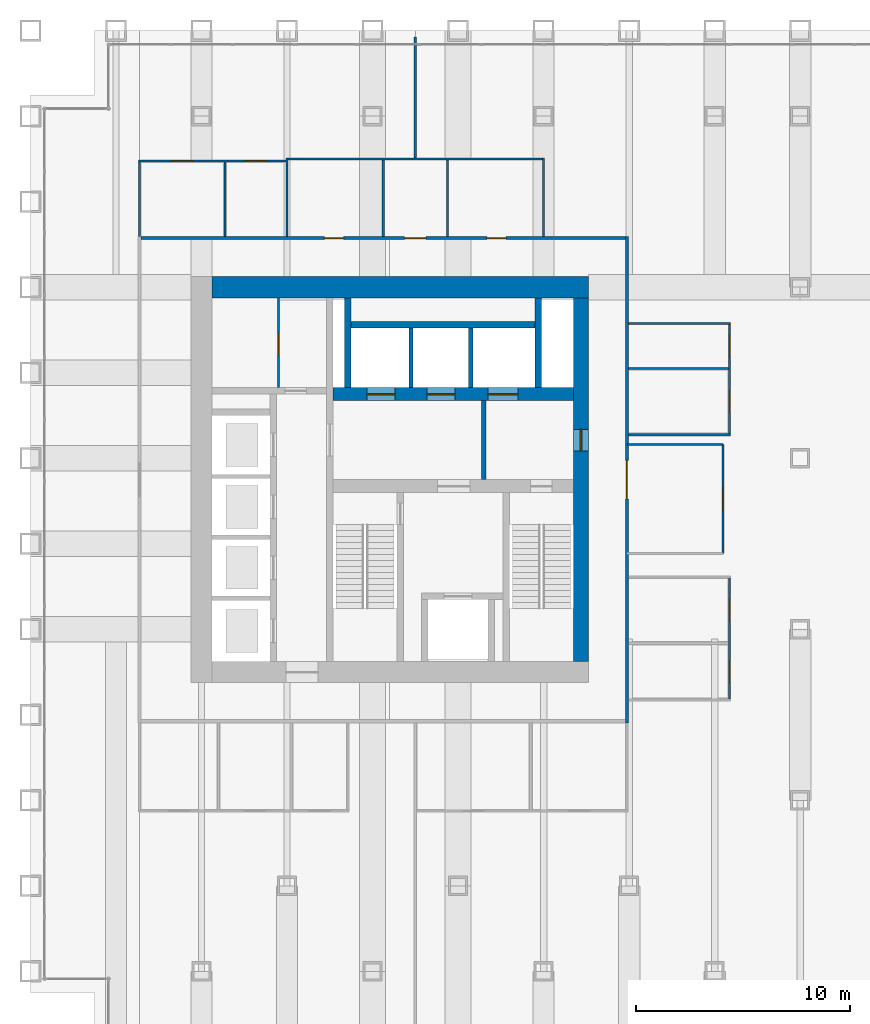
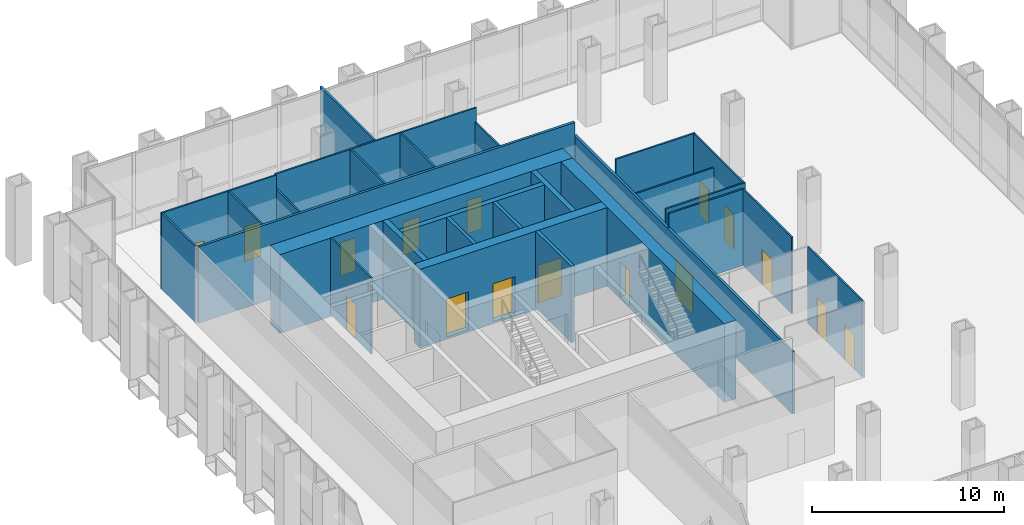
# One storey, part 13 of 16: 28 walls, 16 doors, 16 openings.
"""IFC4 building model written with IfcOpenShell, lengths in metres."""

from ifc_helpers import new_model, si_unit, direction, frame, frame_2d, origin, place, context, subcontext, project, spatial, rectangle, extrude, material, layer, layer_set, type_object, element, fill, save


model = new_model("IFC4")

# Units and contexts
model_context = context("Model", 3, precision=1e-05, world=origin(), true_north=direction((0.0, 1.0)))
body_context = subcontext(model_context, "Body", "Model", "MODEL_VIEW")
ifc_project = project(units=[si_unit("LENGTHUNIT", "METRE"), si_unit("AREAUNIT", "SQUARE_METRE"), si_unit("VOLUMEUNIT", "CUBIC_METRE"), si_unit("PLANEANGLEUNIT", "RADIAN"), si_unit("MASSUNIT", "GRAM", prefix="KILO")], contexts=[model_context])

# Site, building, storey
site_placement = place(None, origin())
site = spatial("IfcSite", under=ifc_project, at=site_placement, CompositionType="ELEMENT")
building_placement = place(site_placement, origin())
building = spatial("IfcBuilding", under=site, at=building_placement, Name="Rimbunsela Tower", CompositionType="ELEMENT")
storey_placement = place(building_placement, frame((0.0, 0.0, 76.39990234375)))
storey = spatial("IfcBuildingStorey", under=building, at=storey_placement, Name="L18", CompositionType="ELEMENT", Elevation=76.39990234375)

# Walls
ifc_material_1 = material(Name="Concrete fc' 80 MPa", Category="concrete")
ifc_layer_1 = layer(ifc_material_1, 0.300048828125)
ifc_layer_set_1 = layer_set([ifc_layer_1], Name="Core internal wall 300")
wall_type_1 = type_object("IfcWallType", Name="Core internal wall 300", PredefinedType="SHEAR", material=ifc_layer_set_1)
for number, where, z_axis, x_axis, name in (
    (1, (24.85009765625, 31.300048828125, -0.14990234375), (0.0, 0.0, 1.0), (0.0, 1.0, 0.0), "Riser wall"),
    (2, (33.75, 31.300048828125, -0.14990234375), (0.0, 0.0, 1.0), (0.0, 1.0, 0.0), "Riser wall"),
):
    element("IfcWall", number, at=place(storey_placement, frame(where, z_axis=z_axis, x_axis=x_axis)), inside=storey, type_object=wall_type_1, Name=name, PredefinedType="SHEAR", context=body_context, shape_type="SweptSolid", body=[
        extrude(rectangle(XDim=4.199951171875, YDim=0.300048828125, at=frame_2d((2.10009765625, 0.0))), origin(), (0.0, 0.0, 1.0), 5.0),
    ])
wall_1_placement = place(storey_placement, frame((25.0, 34.25, -0.14990234375), z_axis=(0.0, 0.0, 1.0), x_axis=(1.0, 0.0, 0.0)))
element("IfcWall", 3, at=wall_1_placement, inside=storey, type_object=wall_type_1, Name="Lift shaft rear north", PredefinedType="SHEAR", context=body_context, shape_type="SweptSolid", body=[
    extrude(rectangle(XDim=8.60009765625, YDim=0.300048828125, at=frame_2d((4.300048828125, 0.0))), origin(), (0.0, 0.0, 1.0), 5.0),
])

# Wall, openings, doors
ifc_material_2 = material(Name="Concrete fc' 80 MPa", Category="concrete")
ifc_layer_2 = layer(ifc_material_2, 0.60009765625)
ifc_layer_set_2 = layer_set([ifc_layer_2], Name="Core internal wall 600")
wall_type_2 = type_object("IfcWallType", Name="Core internal wall 600", PredefinedType="SHEAR", material=ifc_layer_set_2)
wall_2_placement = place(storey_placement, frame((24.14990234375, 31.0, -0.14990234375), z_axis=(0.0, 0.0, 1.0), x_axis=(1.0, 0.0, 0.0)))
wall_2 = element("IfcWall", 4, at=wall_2_placement, inside=storey, type_object=wall_type_2, Name="Lift shaft front north", PredefinedType="SHEAR", context=body_context, shape_type="SweptSolid", body=[
    extrude(rectangle(XDim=11.25, YDim=0.60009765625, at=frame_2d((5.625, 0.0))), origin(), (0.0, 0.0, 1.0), 5.0),
])
opening_1_placement = place(wall_2_placement, frame((1.60009765625, 0.0, 0.14990234375)))
opening_1 = element("IfcOpeningElement", 5, at=opening_1_placement, cuts=wall_2, Name="Opening LD2", PredefinedType="OPENING", context=body_context, shape_type="SweptSolid", body=[
    extrude(rectangle(XDim=1.300048828125, YDim=2.39990234375, at=frame_2d((0.64990234375, 1.199951171875))), frame((0.0, 0.31005859375, 0.0), z_axis=(0.0, -1.0, 0.0), x_axis=(1.0, 0.0, 0.0)), (0.0, 0.0, 1.0), 0.6201171875),
])
opening_2_placement = place(wall_2_placement, frame((4.39990234375, 0.0, 0.14990234375)))
opening_2 = element("IfcOpeningElement", 6, at=opening_2_placement, cuts=wall_2, Name="Opening LD2", PredefinedType="OPENING", context=body_context, shape_type="SweptSolid", body=[
    extrude(rectangle(XDim=1.300048828125, YDim=2.39990234375, at=frame_2d((0.64990234375, 1.199951171875))), frame((0.0, 0.31005859375, 0.0), z_axis=(0.0, -1.0, 0.0), x_axis=(1.0, 0.0, 0.0)), (0.0, 0.0, 1.0), 0.6201171875),
])
opening_3_placement = place(wall_2_placement, frame((7.25, 0.0, 0.14990234375)))
opening_3 = element("IfcOpeningElement", 7, at=opening_3_placement, cuts=wall_2, Name="Opening LD3", PredefinedType="OPENING", context=body_context, shape_type="SweptSolid", body=[
    extrude(rectangle(XDim=1.39990234375, YDim=2.39990234375, at=frame_2d((0.699951171875, 1.199951171875))), frame((0.0, 0.31005859375, 0.0), z_axis=(0.0, -1.0, 0.0), x_axis=(1.0, 0.0, 0.0)), (0.0, 0.0, 1.0), 0.6201171875),
])
ifc_material_3 = material(Name="Steel door, fire rated", Category="steel")
door_type_1 = type_object("IfcDoorType", Name="Lift landing door 1300", OperationType="DOUBLE_DOOR_SLIDING", PredefinedType="DOOR", material=ifc_material_3)
door_1_placement = place(opening_1_placement, origin())
door_1 = element("IfcDoor", 8, at=door_1_placement, inside=storey, type_object=door_type_1, Name="Lift landing door SH1", OperationType="DOUBLE_DOOR_SLIDING", OverallHeight=2.39990234375, OverallWidth=1.300048828125, PredefinedType="DOOR", context=body_context, shape_type="SweptSolid", body=[
    extrude(rectangle(XDim=1.300048828125, YDim=2.39990234375, at=frame_2d((0.64990234375, 1.199951171875))), frame((0.0, 0.02490234375, 0.0), z_axis=(0.0, -1.0, 0.0), x_axis=(1.0, 0.0, 0.0)), (0.0, 0.0, 1.0), 0.050048828125),
])
fill(opening_1, door_1)
door_2_placement = place(opening_2_placement, origin())
door_2 = element("IfcDoor", 9, at=door_2_placement, inside=storey, type_object=door_type_1, Name="Lift landing door SH2", OperationType="DOUBLE_DOOR_SLIDING", OverallHeight=2.39990234375, OverallWidth=1.300048828125, PredefinedType="DOOR", context=body_context, shape_type="SweptSolid", body=[
    extrude(rectangle(XDim=1.300048828125, YDim=2.39990234375, at=frame_2d((0.64990234375, 1.199951171875))), frame((0.0, 0.02490234375, 0.0), z_axis=(0.0, -1.0, 0.0), x_axis=(1.0, 0.0, 0.0)), (0.0, 0.0, 1.0), 0.050048828125),
])
fill(opening_2, door_2)
ifc_material_4 = material(Name="Steel door, fire rated", Category="steel")
door_type_2 = type_object("IfcDoorType", Name="Lift landing door 1400", OperationType="DOUBLE_DOOR_SLIDING", PredefinedType="DOOR", material=ifc_material_4)
door_3_placement = place(opening_3_placement, origin())
door_3 = element("IfcDoor", 10, at=door_3_placement, inside=storey, type_object=door_type_2, Name="Lift landing door FL2", OperationType="DOUBLE_DOOR_SLIDING", OverallHeight=2.39990234375, OverallWidth=1.39990234375, PredefinedType="DOOR", context=body_context, shape_type="SweptSolid", body=[
    extrude(rectangle(XDim=1.39990234375, YDim=2.39990234375, at=frame_2d((0.699951171875, 1.199951171875))), frame((0.0, 0.02490234375, 0.0), z_axis=(0.0, -1.0, 0.0), x_axis=(1.0, 0.0, 0.0)), (0.0, 0.0, 1.0), 0.050048828125),
])
fill(opening_3, door_3)

# Wall, opening, door
ifc_material_5 = material(Name="Concrete blockwork", Category="masonry")
ifc_layer_3 = layer(ifc_material_5, 0.10009765625)
ifc_layer_set_3 = layer_set([ifc_layer_3], Name="Core room partition 100")
wall_type_3 = type_object("IfcWallType", Name="Core room partition 100", PredefinedType="PARTITIONING", material=ifc_layer_set_3)
wall_3_placement = place(storey_placement, frame((21.60009765625, 31.300048828125, 0.0), z_axis=(0.0, 0.0, 1.0), x_axis=(0.0, 1.0, 0.0)))
wall_3 = element("IfcWall", 11, at=wall_3_placement, inside=storey, type_object=wall_type_3, Name="Equipment store wall", PredefinedType="PARTITIONING", context=body_context, shape_type="SweptSolid", body=[
    extrude(rectangle(XDim=4.199951171875, YDim=0.10009765625, at=frame_2d((2.10009765625, 0.0))), origin(), (0.0, 0.0, 1.0), 4.85009765625),
])
opening_4_placement = place(wall_3_placement, frame((1.550048828125, 0.0, 0.0)))
opening_4 = element("IfcOpeningElement", 12, at=opening_4_placement, cuts=wall_3, Name="Opening D19", PredefinedType="OPENING", context=body_context, shape_type="SweptSolid", body=[
    extrude(rectangle(XDim=1.0, YDim=2.199951171875, at=frame_2d((0.5, 1.10009765625))), frame((0.0, 0.06005859375, 0.0), z_axis=(0.0, -1.0, 0.0), x_axis=(1.0, 0.0, 0.0)), (0.0, 0.0, 1.0), 0.1201171875),
])
ifc_material_6 = material(Name="Steel door, fire rated", Category="steel")
door_type_3 = type_object("IfcDoorType", Name="Service door 1000 fire rated", OperationType="SINGLE_SWING_LEFT", PredefinedType="DOOR", material=ifc_material_6)
door_4_placement = place(opening_4_placement, origin())
door_4 = element("IfcDoor", 13, at=door_4_placement, inside=storey, type_object=door_type_3, Name="Equipment store door", OperationType="SINGLE_SWING_LEFT", OverallHeight=2.199951171875, OverallWidth=1.0, PredefinedType="DOOR", context=body_context, shape_type="SweptSolid", body=[
    extrude(rectangle(XDim=1.0, YDim=2.199951171875, at=frame_2d((0.5, 1.10009765625))), frame((0.0, 0.02490234375, 0.0), z_axis=(0.0, -1.0, 0.0), x_axis=(1.0, 0.0, 0.0)), (0.0, 0.0, 1.0), 0.050048828125),
])
fill(opening_4, door_4)

# Wall
ifc_material_7 = material(Name="Concrete fc' 80 MPa", Category="concrete")
ifc_layer_4 = layer(ifc_material_7, 1.0)
ifc_layer_set_4 = layer_set([ifc_layer_4], Name="Core wall 1000")
wall_type_4 = type_object("IfcWallType", Name="Core wall 1000", PredefinedType="SHEAR", material=ifc_layer_set_4)
wall_4_placement = place(storey_placement, frame((18.5, 36.0, -0.14990234375), z_axis=(0.0, 0.0, 1.0), x_axis=(1.0, 0.0, 0.0)))
element("IfcWall", 14, at=wall_4_placement, inside=storey, type_object=wall_type_4, Name="Core wall north", PredefinedType="SHEAR", context=body_context, shape_type="SweptSolid", body=[
    extrude(rectangle(XDim=17.60009765625, YDim=1.0, at=frame_2d((8.800048828125, 0.0))), origin(), (0.0, 0.0, 1.0), 5.0),
])

# Wall, opening, door
ifc_material_8 = material(Name="Concrete fc' 80 MPa", Category="concrete")
ifc_layer_5 = layer(ifc_material_8, 0.699951171875)
ifc_layer_set_5 = layer_set([ifc_layer_5], Name="Core wall 700 east")
wall_type_5 = type_object("IfcWallType", Name="Core wall 700 east", PredefinedType="SHEAR", material=ifc_layer_set_5)
wall_5_placement = place(storey_placement, frame((35.75, 18.5, -0.14990234375), z_axis=(0.0, 0.0, 1.0), x_axis=(0.0, 1.0, 0.0)))
wall_5 = element("IfcWall", 15, at=wall_5_placement, inside=storey, type_object=wall_type_5, Name="Core wall east", PredefinedType="SHEAR", context=body_context, shape_type="SweptSolid", body=[
    extrude(rectangle(XDim=17.0, YDim=0.699951171875, at=frame_2d((8.5, 0.0))), origin(), (0.0, 0.0, 1.0), 5.0),
])
opening_5_placement = place(wall_5_placement, frame((9.85009765625, 0.0, 0.14990234375)))
opening_5 = element("IfcOpeningElement", 16, at=opening_5_placement, cuts=wall_5, Name="Opening D01", PredefinedType="OPENING", context=body_context, shape_type="SweptSolid", body=[
    extrude(rectangle(XDim=1.0, YDim=2.199951171875, at=frame_2d((0.5, 1.10009765625))), frame((0.0, 0.35986328125, 0.0), z_axis=(0.0, -1.0, 0.0), x_axis=(1.0, 0.0, 0.0)), (0.0, 0.0, 1.0), 0.719970703125),
])
ifc_material_9 = material(Name="Steel door, fire rated", Category="steel")
door_type_4 = type_object("IfcDoorType", Name="Stair door 1000", OperationType="SINGLE_SWING_RIGHT", PredefinedType="DOOR", material=ifc_material_9)
door_5_placement = place(opening_5_placement, origin())
door_5 = element("IfcDoor", 17, at=door_5_placement, inside=storey, type_object=door_type_4, Name="Firefighting lobby 2 door", OperationType="SINGLE_SWING_RIGHT", OverallHeight=2.199951171875, OverallWidth=1.0, PredefinedType="DOOR", context=body_context, shape_type="SweptSolid", body=[
    extrude(rectangle(XDim=1.0, YDim=2.199951171875, at=frame_2d((0.5, 1.10009765625))), frame((0.0, 0.02490234375, 0.0), z_axis=(0.0, -1.0, 0.0), x_axis=(1.0, 0.0, 0.0)), (0.0, 0.0, 1.0), 0.050048828125),
])
fill(opening_5, door_5)

# Walls
ifc_material_10 = material(Name="Concrete blockwork", Category="masonry")
ifc_layer_6 = layer(ifc_material_10, 0.199951171875)
ifc_layer_set_6 = layer_set([ifc_layer_6], Name="Lift shaft wall 200")
wall_type_6 = type_object("IfcWallType", Name="Lift shaft wall 200", PredefinedType="SOLIDWALL", material=ifc_layer_set_6)
for number, where, z_axis, x_axis, name in (
    (18, (27.800048828125, 31.300048828125, -0.14990234375), (0.0, 0.0, 1.0), (0.0, 1.0, 0.0), "Lift shaft separation"),
    (19, (30.60009765625, 31.300048828125, -0.14990234375), (0.0, 0.0, 1.0), (0.0, 1.0, 0.0), "Lift shaft separation"),
):
    element("IfcWall", number, at=place(storey_placement, frame(where, z_axis=z_axis, x_axis=x_axis)), inside=storey, type_object=wall_type_6, Name=name, PredefinedType="SOLIDWALL", context=body_context, shape_type="SweptSolid", body=[
        extrude(rectangle(XDim=2.800048828125, YDim=0.199951171875, at=frame_2d((1.39990234375, 0.0))), origin(), (0.0, 0.0, 1.0), 5.0),
    ])
wall_6_placement = place(storey_placement, frame((31.199951171875, 27.0, 0.0), z_axis=(0.0, 0.0, 1.0), x_axis=(0.0, 1.0, 0.0)))
element("IfcWall", 20, at=wall_6_placement, inside=storey, type_object=wall_type_6, Name="Firefighting lobby 2 wall", PredefinedType="SOLIDWALL", context=body_context, shape_type="SweptSolid", body=[
    extrude(rectangle(XDim=3.699951171875, YDim=0.199951171875, at=frame_2d((1.85009765625, 0.0))), origin(), (0.0, 0.0, 1.0), 4.85009765625),
])
ifc_material_11 = material(Name="Gypsum board on steel studs", Category="steel")
ifc_layer_7 = layer(ifc_material_11, 0.10009765625)
ifc_layer_set_7 = layer_set([ifc_layer_7], Name="Office partition 100")
wall_type_7 = type_object("IfcWallType", Name="Office partition 100", PredefinedType="PARTITIONING", material=ifc_layer_set_7)
wall_7_placement = place(storey_placement, frame((37.97509765625, 29.10009765625, 0.0), z_axis=(0.0, 0.0, 1.0), x_axis=(1.0, 0.0, 0.0)))
element("IfcWall", 21, at=wall_7_placement, inside=storey, type_object=wall_type_7, Name="Office partition", PredefinedType="PARTITIONING", context=body_context, shape_type="SweptSolid", body=[
    extrude(rectangle(XDim=4.77490234375, YDim=0.10009765625, at=frame_2d((2.387451171875, 0.0))), origin(), (0.0, 0.0, 1.0), 4.85009765625),
])
wall_8_placement = place(storey_placement, frame((37.97509765625, 32.199951171875, 0.0), z_axis=(0.0, 0.0, 1.0), x_axis=(1.0, 0.0, 0.0)))
element("IfcWall", 22, at=wall_8_placement, inside=storey, type_object=wall_type_7, Name="Office partition", PredefinedType="PARTITIONING", context=body_context, shape_type="SweptSolid", body=[
    extrude(rectangle(XDim=4.6748046875, YDim=0.10009765625, at=frame_2d((2.33740234375, 0.0))), origin(), (0.0, 0.0, 1.0), 3.9501953125),
])
wall_9_placement = place(storey_placement, frame((37.97509765625, 34.300048828125, 0.0), z_axis=(0.0, 0.0, 1.0), x_axis=(1.0, 0.0, 0.0)))
element("IfcWall", 23, at=wall_9_placement, inside=storey, type_object=wall_type_7, Name="Office partition", PredefinedType="PARTITIONING", context=body_context, shape_type="SweptSolid", body=[
    extrude(rectangle(XDim=4.77490234375, YDim=0.10009765625, at=frame_2d((2.387451171875, 0.0))), origin(), (0.0, 0.0, 1.0), 4.85009765625),
])

# Wall, openings, doors
wall_10_placement = place(storey_placement, frame((15.050048828125, 41.89990234375, 0.0), z_axis=(0.0, 0.0, 1.0), x_axis=(1.0, 0.0, 0.0)))
wall_10 = element("IfcWall", 24, at=wall_10_placement, inside=storey, type_object=wall_type_7, Name="Office partition", PredefinedType="PARTITIONING", context=body_context, shape_type="SweptSolid", body=[
    extrude(rectangle(XDim=6.89990234375, YDim=0.10009765625, at=frame_2d((3.449951171875, 0.0))), origin(), (0.0, 0.0, 1.0), 4.85009765625),
])
opening_6_placement = place(wall_10_placement, frame((1.550048828125, 0.0, 0.0)))
opening_6 = element("IfcOpeningElement", 25, at=opening_6_placement, cuts=wall_10, Name="Opening D16", PredefinedType="OPENING", context=body_context, shape_type="SweptSolid", body=[
    extrude(rectangle(XDim=1.0, YDim=2.199951171875, at=frame_2d((0.5, 1.10009765625))), frame((0.0, 0.06005859375, 0.0), z_axis=(0.0, -1.0, 0.0), x_axis=(1.0, 0.0, 0.0)), (0.0, 0.0, 1.0), 0.1201171875),
])
opening_7_placement = place(wall_10_placement, frame((5.0, 0.0, 0.0)))
opening_7 = element("IfcOpeningElement", 26, at=opening_7_placement, cuts=wall_10, Name="Opening D16", PredefinedType="OPENING", context=body_context, shape_type="SweptSolid", body=[
    extrude(rectangle(XDim=1.0, YDim=2.199951171875, at=frame_2d((0.5, 1.10009765625))), frame((0.0, 0.06005859375, 0.0), z_axis=(0.0, -1.0, 0.0), x_axis=(1.0, 0.0, 0.0)), (0.0, 0.0, 1.0), 0.1201171875),
])
ifc_material_12 = material(Name="Timber door", Category="wood")
door_type_5 = type_object("IfcDoorType", Name="Office door 1000", OperationType="SINGLE_SWING_LEFT", PredefinedType="DOOR", material=ifc_material_12)
door_6_placement = place(opening_6_placement, origin())
door_6 = element("IfcDoor", 27, at=door_6_placement, inside=storey, type_object=door_type_5, Name="Office door", OperationType="SINGLE_SWING_LEFT", OverallHeight=2.199951171875, OverallWidth=1.0, PredefinedType="DOOR", context=body_context, shape_type="SweptSolid", body=[
    extrude(rectangle(XDim=1.0, YDim=2.199951171875, at=frame_2d((0.5, 1.10009765625))), frame((0.0, 0.02490234375, 0.0), z_axis=(0.0, -1.0, 0.0), x_axis=(1.0, 0.0, 0.0)), (0.0, 0.0, 1.0), 0.050048828125),
])
fill(opening_6, door_6)
door_7_placement = place(opening_7_placement, origin())
door_7 = element("IfcDoor", 28, at=door_7_placement, inside=storey, type_object=door_type_5, Name="Office door", OperationType="SINGLE_SWING_LEFT", OverallHeight=2.199951171875, OverallWidth=1.0, PredefinedType="DOOR", context=body_context, shape_type="SweptSolid", body=[
    extrude(rectangle(XDim=1.0, YDim=2.199951171875, at=frame_2d((0.5, 1.10009765625))), frame((0.0, 0.02490234375, 0.0), z_axis=(0.0, -1.0, 0.0), x_axis=(1.0, 0.0, 0.0)), (0.0, 0.0, 1.0), 0.050048828125),
])
fill(opening_7, door_7)

# Walls
for number, where, z_axis, x_axis, name in (
    (29, (15.10009765625, 38.375, 0.0), (0.0, 0.0, 1.0), (0.0, 1.0, 0.0), "Office partition"),
    (30, (19.10009765625, 38.375, 0.0), (0.0, 0.0, 1.0), (0.0, 1.0, 0.0), "Office partition"),
):
    element("IfcWall", number, at=place(storey_placement, frame(where, z_axis=z_axis, x_axis=x_axis)), inside=storey, type_object=wall_type_7, Name=name, PredefinedType="PARTITIONING", context=body_context, shape_type="SweptSolid", body=[
        extrude(rectangle(XDim=3.47509765625, YDim=0.10009765625, at=frame_2d((1.737548828125, 0.0))), origin(), (0.0, 0.0, 1.0), 4.85009765625),
    ])

# Wall, openings, doors
wall_11_placement = place(storey_placement, frame((42.699951171875, 16.75, 0.0), z_axis=(0.0, 0.0, 1.0), x_axis=(0.0, 1.0, 0.0)))
wall_11 = element("IfcWall", 31, at=wall_11_placement, inside=storey, type_object=wall_type_7, Name="Office partition", PredefinedType="PARTITIONING", context=body_context, shape_type="SweptSolid", body=[
    extrude(rectangle(XDim=5.64990234375, YDim=0.10009765625, at=frame_2d((2.824951171875, 0.0))), origin(), (0.0, 0.0, 1.0), 4.85009765625),
])
opening_8_placement = place(wall_11_placement, frame((0.77490234375, 0.0, 0.0)))
opening_8 = element("IfcOpeningElement", 32, at=opening_8_placement, cuts=wall_11, Name="Opening D16", PredefinedType="OPENING", context=body_context, shape_type="SweptSolid", body=[
    extrude(rectangle(XDim=1.0, YDim=2.199951171875, at=frame_2d((0.5, 1.10009765625))), frame((0.0, 0.06005859375, 0.0), z_axis=(0.0, -1.0, 0.0), x_axis=(1.0, 0.0, 0.0)), (0.0, 0.0, 1.0), 0.1201171875),
])
opening_9_placement = place(wall_11_placement, frame((3.64990234375, 0.0, 0.0)))
opening_9 = element("IfcOpeningElement", 33, at=opening_9_placement, cuts=wall_11, Name="Opening D16", PredefinedType="OPENING", context=body_context, shape_type="SweptSolid", body=[
    extrude(rectangle(XDim=1.0, YDim=2.199951171875, at=frame_2d((0.5, 1.10009765625))), frame((0.0, 0.06005859375, 0.0), z_axis=(0.0, -1.0, 0.0), x_axis=(1.0, 0.0, 0.0)), (0.0, 0.0, 1.0), 0.1201171875),
])
door_8_placement = place(opening_8_placement, origin())
door_8 = element("IfcDoor", 34, at=door_8_placement, inside=storey, type_object=door_type_5, Name="Office door", OperationType="SINGLE_SWING_LEFT", OverallHeight=2.199951171875, OverallWidth=1.0, PredefinedType="DOOR", context=body_context, shape_type="SweptSolid", body=[
    extrude(rectangle(XDim=1.0, YDim=2.199951171875, at=frame_2d((0.5, 1.10009765625))), frame((0.0, 0.02490234375, 0.0), z_axis=(0.0, -1.0, 0.0), x_axis=(1.0, 0.0, 0.0)), (0.0, 0.0, 1.0), 0.050048828125),
])
fill(opening_8, door_8)
door_9_placement = place(opening_9_placement, origin())
door_9 = element("IfcDoor", 35, at=door_9_placement, inside=storey, type_object=door_type_5, Name="Office door", OperationType="SINGLE_SWING_LEFT", OverallHeight=2.199951171875, OverallWidth=1.0, PredefinedType="DOOR", context=body_context, shape_type="SweptSolid", body=[
    extrude(rectangle(XDim=1.0, YDim=2.199951171875, at=frame_2d((0.5, 1.10009765625))), frame((0.0, 0.02490234375, 0.0), z_axis=(0.0, -1.0, 0.0), x_axis=(1.0, 0.0, 0.0)), (0.0, 0.0, 1.0), 0.050048828125),
])
fill(opening_9, door_9)

wall_12_placement = place(storey_placement, frame((42.699951171875, 29.14990234375, 0.0), z_axis=(0.0, 0.0, 1.0), x_axis=(0.0, 1.0, 0.0)))
wall_12 = element("IfcWall", 36, at=wall_12_placement, inside=storey, type_object=wall_type_7, Name="Office partition", PredefinedType="PARTITIONING", context=body_context, shape_type="SweptSolid", body=[
    extrude(rectangle(XDim=5.10009765625, YDim=0.10009765625, at=frame_2d((2.550048828125, 0.0))), origin(), (0.0, 0.0, 1.0), 4.85009765625),
])
opening_10_placement = place(wall_12_placement, frame((1.0, 0.0, 0.0)))
opening_10 = element("IfcOpeningElement", 37, at=opening_10_placement, cuts=wall_12, Name="Opening D16", PredefinedType="OPENING", context=body_context, shape_type="SweptSolid", body=[
    extrude(rectangle(XDim=1.0, YDim=2.199951171875, at=frame_2d((0.5, 1.10009765625))), frame((0.0, 0.06005859375, 0.0), z_axis=(0.0, -1.0, 0.0), x_axis=(1.0, 0.0, 0.0)), (0.0, 0.0, 1.0), 0.1201171875),
])
opening_11_placement = place(wall_12_placement, frame((3.60009765625, 0.0, 0.0)))
opening_11 = element("IfcOpeningElement", 38, at=opening_11_placement, cuts=wall_12, Name="Opening D16", PredefinedType="OPENING", context=body_context, shape_type="SweptSolid", body=[
    extrude(rectangle(XDim=1.0, YDim=2.199951171875, at=frame_2d((0.5, 1.10009765625))), frame((0.0, 0.06005859375, 0.0), z_axis=(0.0, -1.0, 0.0), x_axis=(1.0, 0.0, 0.0)), (0.0, 0.0, 1.0), 0.1201171875),
])
door_10_placement = place(opening_10_placement, origin())
door_10 = element("IfcDoor", 39, at=door_10_placement, inside=storey, type_object=door_type_5, Name="Office door", OperationType="SINGLE_SWING_LEFT", OverallHeight=2.199951171875, OverallWidth=1.0, PredefinedType="DOOR", context=body_context, shape_type="SweptSolid", body=[
    extrude(rectangle(XDim=1.0, YDim=2.199951171875, at=frame_2d((0.5, 1.10009765625))), frame((0.0, 0.02490234375, 0.0), z_axis=(0.0, -1.0, 0.0), x_axis=(1.0, 0.0, 0.0)), (0.0, 0.0, 1.0), 0.050048828125),
])
fill(opening_10, door_10)
door_11_placement = place(opening_11_placement, origin())
door_11 = element("IfcDoor", 40, at=door_11_placement, inside=storey, type_object=door_type_5, Name="Office door", OperationType="SINGLE_SWING_LEFT", OverallHeight=2.199951171875, OverallWidth=1.0, PredefinedType="DOOR", context=body_context, shape_type="SweptSolid", body=[
    extrude(rectangle(XDim=1.0, YDim=2.199951171875, at=frame_2d((0.5, 1.10009765625))), frame((0.0, 0.02490234375, 0.0), z_axis=(0.0, -1.0, 0.0), x_axis=(1.0, 0.0, 0.0)), (0.0, 0.0, 1.0), 0.050048828125),
])
fill(opening_11, door_11)

# Wall, opening, door
wall_13_placement = place(storey_placement, frame((42.39990234375, 23.550048828125, 0.0), z_axis=(0.0, 0.0, 1.0), x_axis=(0.0, 1.0, 0.0)))
wall_13 = element("IfcWall", 41, at=wall_13_placement, inside=storey, type_object=wall_type_7, Name="Office partition", PredefinedType="PARTITIONING", context=body_context, shape_type="SweptSolid", body=[
    extrude(rectangle(XDim=5.099853515625, YDim=0.10009765625, at=frame_2d((2.5498046875, 0.0))), origin(), (0.0, 0.0, 1.0), 4.85009765625),
])
opening_12_placement = place(wall_13_placement, frame((2.050048828125, 0.0, 0.0)))
opening_12 = element("IfcOpeningElement", 42, at=opening_12_placement, cuts=wall_13, Name="Opening D17", PredefinedType="OPENING", context=body_context, shape_type="SweptSolid", body=[
    extrude(rectangle(XDim=1.0, YDim=2.199951171875, at=frame_2d((0.5, 1.10009765625))), frame((0.0, 0.06005859375, 0.0), z_axis=(0.0, -1.0, 0.0), x_axis=(1.0, 0.0, 0.0)), (0.0, 0.0, 1.0), 0.1201171875),
])
ifc_material_13 = material(Name="Glazed aluminium door", Category="aluminium")
door_type_6 = type_object("IfcDoorType", Name="Meeting room door 1000 glazed", OperationType="SINGLE_SWING_RIGHT", PredefinedType="DOOR", material=ifc_material_13)
door_12_placement = place(opening_12_placement, origin())
door_12 = element("IfcDoor", 43, at=door_12_placement, inside=storey, type_object=door_type_6, Name="Reception door", OperationType="SINGLE_SWING_RIGHT", OverallHeight=2.199951171875, OverallWidth=1.0, PredefinedType="DOOR", context=body_context, shape_type="SweptSolid", body=[
    extrude(rectangle(XDim=1.0, YDim=2.199951171875, at=frame_2d((0.5, 1.10009765625))), frame((0.0, 0.02490234375, 0.0), z_axis=(0.0, -1.0, 0.0), x_axis=(1.0, 0.0, 0.0)), (0.0, 0.0, 1.0), 0.050048828125),
])
fill(opening_12, door_12)

# Wall
wall_14_placement = place(storey_placement, frame((42.39990234375, 28.64990234375, 0.0), z_axis=(0.0, 0.0, 1.0), x_axis=(-1.0, 0.0, 0.0)))
element("IfcWall", 44, at=wall_14_placement, inside=storey, type_object=wall_type_7, Name="Office partition", PredefinedType="PARTITIONING", context=body_context, shape_type="SweptSolid", body=[
    extrude(rectangle(XDim=4.5, YDim=0.10009765625, at=frame_2d((2.25, 0.0))), origin(), (0.0, 0.0, 1.0), 4.85009765625),
])

# Wall, opening, door
ifc_material_14 = material(Name="Fire-rated gypsum board on steel studs, EI 60", Category="steel")
ifc_layer_8 = layer(ifc_material_14, 0.14990234375)
ifc_layer_set_8 = layer_set([ifc_layer_8], Name="Rated corridor wall 150")
wall_type_8 = type_object("IfcWallType", Name="Rated corridor wall 150", PredefinedType="PARTITIONING", material=ifc_layer_set_8)
wall_15_placement = place(storey_placement, frame((37.89990234375, 15.625, 0.0), z_axis=(0.0, 0.0, 1.0), x_axis=(0.0, 1.0, 0.0)))
wall_15 = element("IfcWall", 45, at=wall_15_placement, inside=storey, type_object=wall_type_8, Name="Corridor wall east", PredefinedType="PARTITIONING", context=body_context, shape_type="SweptSolid", body=[
    extrude(rectangle(XDim=22.75, YDim=0.14990234375, at=frame_2d((11.375, 0.0))), origin(), (0.0, 0.0, 1.0), 3.9501953125),
])
opening_13_placement = place(wall_15_placement, frame((10.47509765625, 0.0, 0.0)))
opening_13 = element("IfcOpeningElement", 46, at=opening_13_placement, cuts=wall_15, Name="Opening D09", PredefinedType="OPENING", context=body_context, shape_type="SweptSolid", body=[
    extrude(rectangle(XDim=1.800048828125, YDim=2.39990234375, at=frame_2d((0.89990234375, 1.199951171875))), frame((0.0, 0.0849609375, 0.0), z_axis=(0.0, -1.0, 0.0), x_axis=(1.0, 0.0, 0.0)), (0.0, 0.0, 1.0), 0.169921875),
])
ifc_material_15 = material(Name="Glazed aluminium door, fire rated", Category="aluminium")
door_type_7 = type_object("IfcDoorType", Name="Tenancy door 1800 glazed", OperationType="DOUBLE_DOOR_DOUBLE_SWING", PredefinedType="DOOR", material=ifc_material_15)
door_13_placement = place(opening_13_placement, origin())
door_13 = element("IfcDoor", 47, at=door_13_placement, inside=storey, type_object=door_type_7, Name="Tenancy door", OperationType="DOUBLE_DOOR_DOUBLE_SWING", OverallHeight=2.39990234375, OverallWidth=1.800048828125, PredefinedType="DOOR", context=body_context, shape_type="SweptSolid", body=[
    extrude(rectangle(XDim=1.800048828125, YDim=2.39990234375, at=frame_2d((0.89990234375, 1.199951171875))), frame((0.0, 0.02490234375, 0.0), z_axis=(0.0, -1.0, 0.0), x_axis=(1.0, 0.0, 0.0)), (0.0, 0.0, 1.0), 0.050048828125),
])
fill(opening_13, door_13)

# Wall, openings, doors
wall_16_placement = place(storey_placement, frame((15.175048828125, 38.300048828125, 0.0), z_axis=(0.0, 0.0, 1.0), x_axis=(1.0, 0.0, 0.0)))
wall_16 = element("IfcWall", 48, at=wall_16_placement, inside=storey, type_object=wall_type_8, Name="Corridor wall north", PredefinedType="PARTITIONING", context=body_context, shape_type="SweptSolid", body=[
    extrude(rectangle(XDim=22.64990234375, YDim=0.14990234375, at=frame_2d((11.324951171875, 0.0))), origin(), (0.0, 0.0, 1.0), 4.85009765625),
])
opening_14_placement = place(wall_16_placement, frame((8.574951171875, 0.0, 0.0)))
opening_14 = element("IfcOpeningElement", 49, at=opening_14_placement, cuts=wall_16, Name="Opening D04", PredefinedType="OPENING", context=body_context, shape_type="SweptSolid", body=[
    extrude(rectangle(XDim=0.89990234375, YDim=2.10009765625, at=frame_2d((0.449951171875, 1.050048828125))), frame((0.0, 0.0849609375, 0.0), z_axis=(0.0, -1.0, 0.0), x_axis=(1.0, 0.0, 0.0)), (0.0, 0.0, 1.0), 0.169921875),
])
opening_15_placement = place(wall_16_placement, frame((12.324951171875, 0.0, 0.0)))
opening_15 = element("IfcOpeningElement", 50, at=opening_15_placement, cuts=wall_16, Name="Opening D05", PredefinedType="OPENING", context=body_context, shape_type="SweptSolid", body=[
    extrude(rectangle(XDim=1.0, YDim=2.10009765625, at=frame_2d((0.5, 1.050048828125))), frame((0.0, 0.0849609375, 0.0), z_axis=(0.0, -1.0, 0.0), x_axis=(1.0, 0.0, 0.0)), (0.0, 0.0, 1.0), 0.169921875),
])
opening_16_placement = place(wall_16_placement, frame((16.175048828125, 0.0, 0.0)))
opening_16 = element("IfcOpeningElement", 51, at=opening_16_placement, cuts=wall_16, Name="Opening D04", PredefinedType="OPENING", context=body_context, shape_type="SweptSolid", body=[
    extrude(rectangle(XDim=0.89990234375, YDim=2.10009765625, at=frame_2d((0.449951171875, 1.050048828125))), frame((0.0, 0.0849609375, 0.0), z_axis=(0.0, -1.0, 0.0), x_axis=(1.0, 0.0, 0.0)), (0.0, 0.0, 1.0), 0.169921875),
])
ifc_material_16 = material(Name="Timber door", Category="wood")
door_type_8 = type_object("IfcDoorType", Name="Accessible WC door 1000", OperationType="SLIDING_TO_LEFT", PredefinedType="DOOR", material=ifc_material_16)
door_14_placement = place(opening_15_placement, origin())
door_14 = element("IfcDoor", 52, at=door_14_placement, inside=storey, type_object=door_type_8, Name="Accessible WC door", OperationType="SLIDING_TO_LEFT", OverallHeight=2.10009765625, OverallWidth=1.0, PredefinedType="DOOR", context=body_context, shape_type="SweptSolid", body=[
    extrude(rectangle(XDim=1.0, YDim=2.10009765625, at=frame_2d((0.5, 1.050048828125))), frame((0.0, 0.02490234375, 0.0), z_axis=(0.0, -1.0, 0.0), x_axis=(1.0, 0.0, 0.0)), (0.0, 0.0, 1.0), 0.050048828125),
])
fill(opening_15, door_14)
ifc_material_17 = material(Name="Timber door", Category="wood")
door_type_9 = type_object("IfcDoorType", Name="Toilet door 900", OperationType="SINGLE_SWING_LEFT", PredefinedType="DOOR", material=ifc_material_17)
door_15_placement = place(opening_14_placement, origin())
door_15 = element("IfcDoor", 53, at=door_15_placement, inside=storey, type_object=door_type_9, Name="Female WC door", OperationType="SINGLE_SWING_LEFT", OverallHeight=2.10009765625, OverallWidth=0.89990234375, PredefinedType="DOOR", context=body_context, shape_type="SweptSolid", body=[
    extrude(rectangle(XDim=0.89990234375, YDim=2.10009765625, at=frame_2d((0.449951171875, 1.050048828125))), frame((0.0, 0.02490234375, 0.0), z_axis=(0.0, -1.0, 0.0), x_axis=(1.0, 0.0, 0.0)), (0.0, 0.0, 1.0), 0.050048828125),
])
fill(opening_14, door_15)
door_16_placement = place(opening_16_placement, origin())
door_16 = element("IfcDoor", 54, at=door_16_placement, inside=storey, type_object=door_type_9, Name="Male WC door", OperationType="SINGLE_SWING_LEFT", OverallHeight=2.10009765625, OverallWidth=0.89990234375, PredefinedType="DOOR", context=body_context, shape_type="SweptSolid", body=[
    extrude(rectangle(XDim=0.89990234375, YDim=2.10009765625, at=frame_2d((0.449951171875, 1.050048828125))), frame((0.0, 0.02490234375, 0.0), z_axis=(0.0, -1.0, 0.0), x_axis=(1.0, 0.0, 0.0)), (0.0, 0.0, 1.0), 0.050048828125),
])
fill(opening_16, door_16)

# Walls
ifc_material_18 = material(Name="Gypsum board on steel studs", Category="steel")
ifc_layer_9 = layer(ifc_material_18, 0.1201171875)
ifc_layer_set_9 = layer_set([ifc_layer_9], Name="Tenancy partition 120")
wall_type_9 = type_object("IfcWallType", Name="Tenancy partition 120", PredefinedType="PARTITIONING", material=ifc_layer_set_9)
wall_17_placement = place(storey_placement, frame((28.0, 42.050048828125, 0.0), z_axis=(0.0, 0.0, 1.0), x_axis=(0.0, 1.0, 0.0)))
element("IfcWall", 55, at=wall_17_placement, inside=storey, type_object=wall_type_9, Name="Tenancy partition north", PredefinedType="PARTITIONING", context=body_context, shape_type="SweptSolid", body=[
    extrude(rectangle(XDim=5.64990234375, YDim=0.1201171875, at=frame_2d((2.824951171875, 0.0))), origin(), (0.0, 0.0, 1.0), 4.85009765625),
])
ifc_material_19 = material(Name="Concrete blockwork", Category="masonry")
ifc_layer_10 = layer(ifc_material_19, 0.10009765625)
ifc_layer_set_10 = layer_set([ifc_layer_10], Name="Toilet partition 100")
wall_type_10 = type_object("IfcWallType", Name="Toilet partition 100", PredefinedType="PARTITIONING", material=ifc_layer_set_10)
for number, where, z_axis, x_axis, name in (
    (56, (22.0, 38.375, 0.0), (0.0, 0.0, 1.0), (0.0, 1.0, 0.0), "Toilet block wall west"),
    (57, (34.0, 38.375, 0.0), (0.0, 0.0, 1.0), (0.0, 1.0, 0.0), "Toilet block wall east"),
):
    element("IfcWall", number, at=place(storey_placement, frame(where, z_axis=z_axis, x_axis=x_axis)), inside=storey, type_object=wall_type_10, Name=name, PredefinedType="PARTITIONING", context=body_context, shape_type="SweptSolid", body=[
        extrude(rectangle(XDim=3.675048828125, YDim=0.10009765625, at=frame_2d((1.83740234375, 0.0))), origin(), (0.0, 0.0, 1.0), 3.9501953125),
    ])
wall_18_placement = place(storey_placement, frame((21.949951171875, 42.0, 0.0), z_axis=(0.0, 0.0, 1.0), x_axis=(1.0, 0.0, 0.0)))
element("IfcWall", 58, at=wall_18_placement, inside=storey, type_object=wall_type_10, Name="Toilet block wall north", PredefinedType="PARTITIONING", context=body_context, shape_type="SweptSolid", body=[
    extrude(rectangle(XDim=12.10009765625, YDim=0.10009765625, at=frame_2d((6.050048828125, 0.0))), origin(), (0.0, 0.0, 1.0), 4.85009765625),
])
for number, where, z_axis, x_axis, name in (
    (59, (26.5, 38.375, 0.0), (0.0, 0.0, 1.0), (0.0, 1.0, 0.0), "Toilet partition"),
    (60, (29.5, 38.375, 0.0), (0.0, 0.0, 1.0), (0.0, 1.0, 0.0), "Toilet partition"),
):
    element("IfcWall", number, at=place(storey_placement, frame(where, z_axis=z_axis, x_axis=x_axis)), inside=storey, type_object=wall_type_10, Name=name, PredefinedType="PARTITIONING", context=body_context, shape_type="SweptSolid", body=[
        extrude(rectangle(XDim=3.574951171875, YDim=0.10009765625, at=frame_2d((1.78759765625, 0.0))), origin(), (0.0, 0.0, 1.0), 4.85009765625),
    ])

save(model, "model.ifc")
